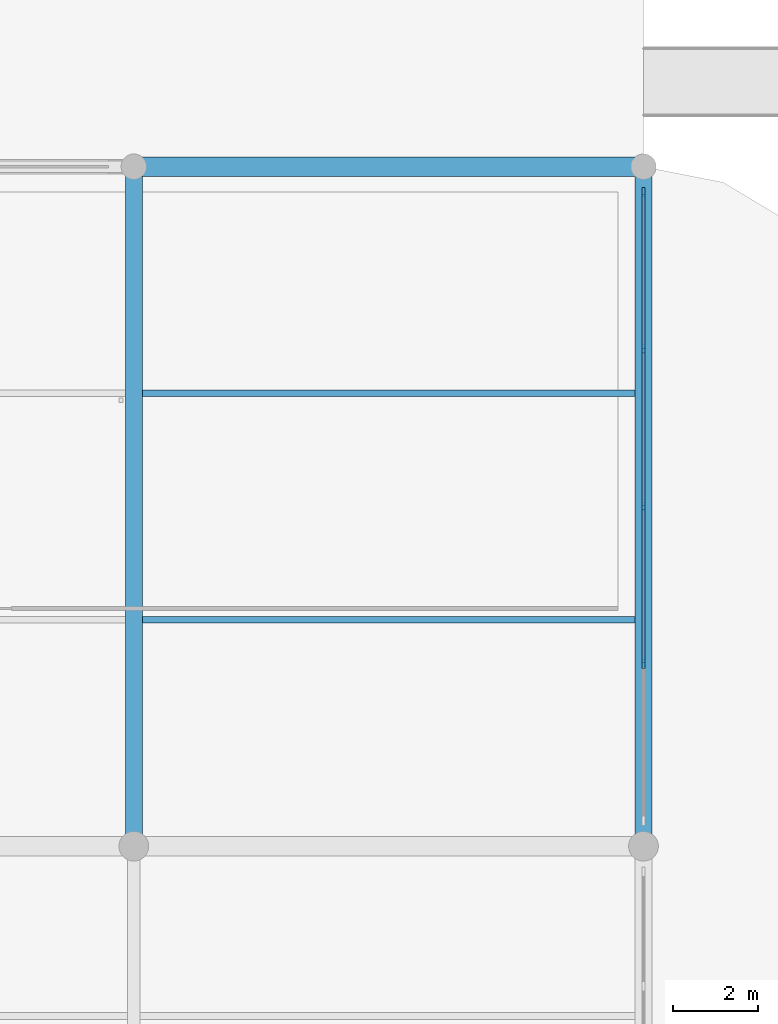
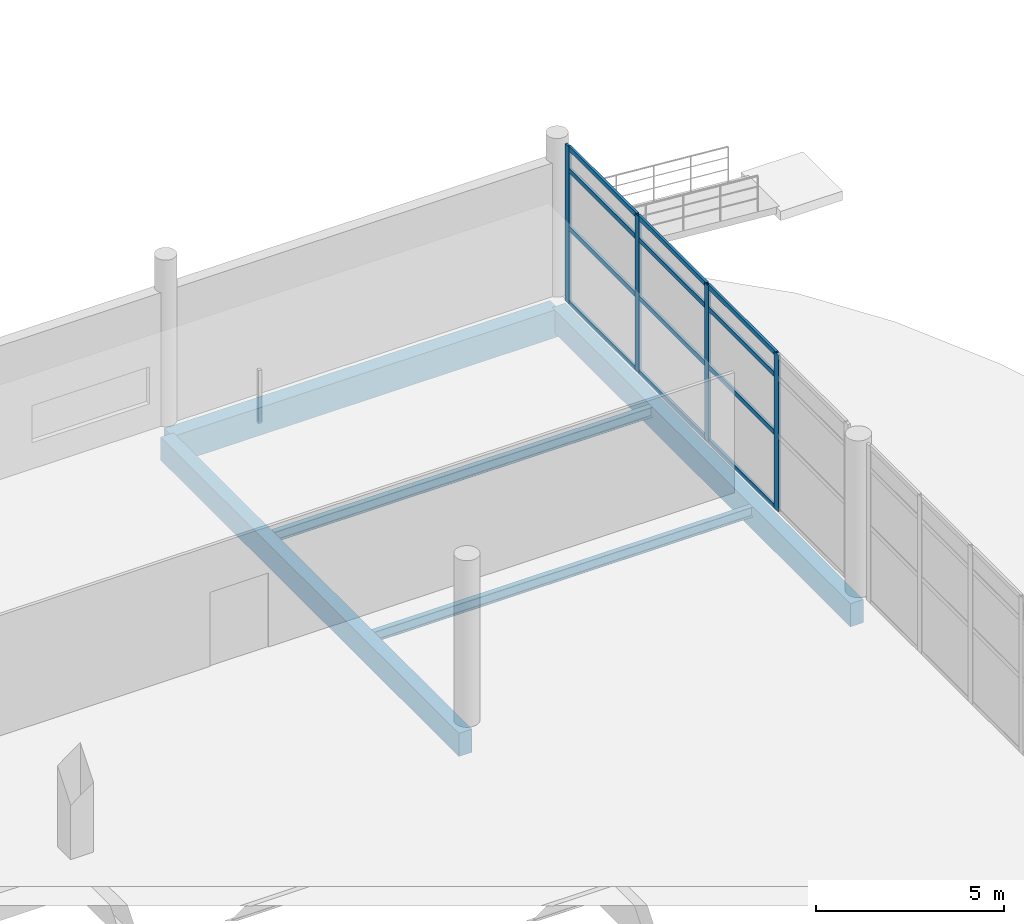
# One storey, part 41 of 85: 16 members, 5 beams, 1 element without a shape of its own.
"""IFC4 building model written with IfcOpenShell, lengths in metres."""

from ifc_helpers import new_model, si_unit, direction, frame, origin, origin_2d, place, context, subcontext, project, spatial, rectangle, i_section, extrude, material, material_profile, profile_set, type_object, element, aggregate, save


model = new_model("IFC4")

# Units and contexts
model_context = context("Model", 3, precision=1e-05, world=origin(), true_north=direction((0.0, 1.0)))
body_context = subcontext(model_context, "Body", "Model", "MODEL_VIEW")
ifc_project = project(units=[si_unit("LENGTHUNIT", "METRE"), si_unit("AREAUNIT", "SQUARE_METRE"), si_unit("VOLUMEUNIT", "CUBIC_METRE"), si_unit("PLANEANGLEUNIT", "RADIAN"), si_unit("MASSUNIT", "GRAM", prefix="KILO"), si_unit("THERMODYNAMICTEMPERATUREUNIT", "KELVIN"), si_unit("POWERUNIT", "WATT")], contexts=[model_context])

# Site, building, storey
site_placement = place(None, origin())
site = spatial("IfcSite", under=ifc_project, at=site_placement, CompositionType="ELEMENT")
building_placement = place(site_placement, origin())
building = spatial("IfcBuilding", under=site, at=building_placement, Name="Solmara Park Aquatics Centre", CompositionType="ELEMENT")
storey_placement = place(building_placement, origin())
storey = spatial("IfcBuildingStorey", under=building, at=storey_placement, Name="L00", CompositionType="ELEMENT", Elevation=0.0)

# Curtain wall, members
ifc_material_1 = material(Name="Anodised Aluminium Curtain Wall Framing", Category="aluminium")
curtain_wall_type = type_object("IfcCurtainWallType", Name="ARC-CW-SYS02", PredefinedType="USERDEFINED", material=ifc_material_1)
curtain_wall_placement = place(storey_placement, origin())
curtain_wall = element("IfcCurtainWall", 1, at=curtain_wall_placement, inside=storey, type_object=curtain_wall_type, Name="Curtain Wall CW-095", ObjectType="CURTAIN WALL", PredefinedType="USERDEFINED")
ifc_material_2 = material(Name="Anodised Aluminium Alloy 6063-T6", Category="aluminium")
ifc_material_profile_1 = material_profile(ifc_material_2, rectangle(XDim=0.074951171875, YDim=0.219970703125, at=origin_2d()), Name="ALU MULLION 75x220")
ifc_profile_set_1 = profile_set([ifc_material_profile_1], Name="Anodised Aluminium Alloy 6063-T6")
member_type_1 = type_object("IfcMemberType", Name="ARC-CWM-75x220", PredefinedType="MULLION", material=ifc_profile_set_1)
member_1_placement = place(storey_placement, frame((204.0, 64.89990234375, 0.0), z_axis=(0.0, 0.0, 1.0), x_axis=(1.0, 0.0, 0.0)))
member_1 = element("IfcMember", 2, at=member_1_placement, type_object=member_type_1, Name="CW-095 mullion 2", PredefinedType="MULLION", context=body_context, shape_type="SweptSolid", body=[
    extrude(rectangle(XDim=0.074951171875, YDim=0.219970703125, at=origin_2d()), origin(), (0.0, 0.0, 1.0), 5.080078125),
])
member_2_placement = place(storey_placement, frame((204.0, 68.60009765625, 0.0), z_axis=(0.0, 0.0, 1.0), x_axis=(1.0, 0.0, 0.0)))
member_2 = element("IfcMember", 3, at=member_2_placement, type_object=member_type_1, Name="CW-095 mullion 3", PredefinedType="MULLION", context=body_context, shape_type="SweptSolid", body=[
    extrude(rectangle(XDim=0.074951171875, YDim=0.219970703125, at=origin_2d()), origin(), (0.0, 0.0, 1.0), 5.080078125),
])
member_3_placement = place(storey_placement, frame((204.0, 72.300048828125, 0.0), z_axis=(0.0, 0.0, 1.0), x_axis=(1.0, 0.0, 0.0)))
member_3 = element("IfcMember", 4, at=member_3_placement, type_object=member_type_1, Name="CW-095 mullion 4", PredefinedType="MULLION", context=body_context, shape_type="SweptSolid", body=[
    extrude(rectangle(XDim=0.074951171875, YDim=0.219970703125, at=origin_2d()), origin(), (0.0, 0.0, 1.0), 5.080078125),
])
member_4_placement = place(storey_placement, frame((204.0, 76.0, 0.0), z_axis=(0.0, 0.0, 1.0), x_axis=(1.0, 0.0, 0.0)))
member_4 = element("IfcMember", 5, at=member_4_placement, type_object=member_type_1, Name="CW-095 mullion 5", PredefinedType="MULLION", context=body_context, shape_type="SweptSolid", body=[
    extrude(rectangle(XDim=0.074951171875, YDim=0.219970703125, at=origin_2d()), origin(), (0.0, 0.0, 1.0), 5.080078125),
])
ifc_material_profile_2 = material_profile(ifc_material_2, rectangle(XDim=0.074951171875, YDim=0.14990234375, at=origin_2d()), Name="ALU TRANSOM 75x150")
ifc_profile_set_2 = profile_set([ifc_material_profile_2], Name="Anodised Aluminium Alloy 6063-T6")
member_type_2 = type_object("IfcMemberType", Name="ARC-CWT-75x150", PredefinedType="USERDEFINED", material=ifc_profile_set_2)
member_5_placement = place(storey_placement, frame((204.0, 64.919921875, 0.0400390625), z_axis=(0.0, 1.0, 0.0), x_axis=(-1.0, 0.0, 0.0)))
member_5 = element("IfcMember", 6, at=member_5_placement, type_object=member_type_2, Name="CW-095 transom 5", ObjectType="TRANSOM", PredefinedType="USERDEFINED", context=body_context, shape_type="SweptSolid", body=[
    extrude(rectangle(XDim=0.074951171875, YDim=0.14990234375, at=origin_2d()), origin(), (0.0, 0.0, 1.0), 3.6201171875),
])
member_6_placement = place(storey_placement, frame((204.0, 64.919921875, 2.449951171875), z_axis=(0.0, 1.0, 0.0), x_axis=(-1.0, 0.0, 0.0)))
member_6 = element("IfcMember", 7, at=member_6_placement, type_object=member_type_2, Name="CW-095 transom 6", ObjectType="TRANSOM", PredefinedType="USERDEFINED", context=body_context, shape_type="SweptSolid", body=[
    extrude(rectangle(XDim=0.074951171875, YDim=0.14990234375, at=origin_2d()), origin(), (0.0, 0.0, 1.0), 3.6201171875),
])
member_7_placement = place(storey_placement, frame((204.0, 64.919921875, 4.330078125), z_axis=(0.0, 1.0, 0.0), x_axis=(-1.0, 0.0, 0.0)))
member_7 = element("IfcMember", 8, at=member_7_placement, type_object=member_type_2, Name="CW-095 transom 7", ObjectType="TRANSOM", PredefinedType="USERDEFINED", context=body_context, shape_type="SweptSolid", body=[
    extrude(rectangle(XDim=0.074951171875, YDim=0.14990234375, at=origin_2d()), origin(), (0.0, 0.0, 1.0), 3.6201171875),
])
member_8_placement = place(storey_placement, frame((204.0, 64.919921875, 5.0400390625), z_axis=(0.0, 1.0, 0.0), x_axis=(-1.0, 0.0, 0.0)))
member_8 = element("IfcMember", 9, at=member_8_placement, type_object=member_type_2, Name="CW-095 transom 8", ObjectType="TRANSOM", PredefinedType="USERDEFINED", context=body_context, shape_type="SweptSolid", body=[
    extrude(rectangle(XDim=0.074951171875, YDim=0.14990234375, at=origin_2d()), origin(), (0.0, 0.0, 1.0), 3.6201171875),
])
member_9_placement = place(storey_placement, frame((204.0, 68.6201171875, 0.0400390625), z_axis=(0.0, 1.0, 0.0), x_axis=(-1.0, 0.0, 0.0)))
member_9 = element("IfcMember", 10, at=member_9_placement, type_object=member_type_2, Name="CW-095 transom 9", ObjectType="TRANSOM", PredefinedType="USERDEFINED", context=body_context, shape_type="SweptSolid", body=[
    extrude(rectangle(XDim=0.074951171875, YDim=0.14990234375, at=origin_2d()), origin(), (0.0, 0.0, 1.0), 3.619873046875),
])
member_10_placement = place(storey_placement, frame((204.0, 68.6201171875, 2.449951171875), z_axis=(0.0, 1.0, 0.0), x_axis=(-1.0, 0.0, 0.0)))
member_10 = element("IfcMember", 11, at=member_10_placement, type_object=member_type_2, Name="CW-095 transom 10", ObjectType="TRANSOM", PredefinedType="USERDEFINED", context=body_context, shape_type="SweptSolid", body=[
    extrude(rectangle(XDim=0.074951171875, YDim=0.14990234375, at=origin_2d()), origin(), (0.0, 0.0, 1.0), 3.619873046875),
])
member_11_placement = place(storey_placement, frame((204.0, 68.6201171875, 4.330078125), z_axis=(0.0, 1.0, 0.0), x_axis=(-1.0, 0.0, 0.0)))
member_11 = element("IfcMember", 12, at=member_11_placement, type_object=member_type_2, Name="CW-095 transom 11", ObjectType="TRANSOM", PredefinedType="USERDEFINED", context=body_context, shape_type="SweptSolid", body=[
    extrude(rectangle(XDim=0.074951171875, YDim=0.14990234375, at=origin_2d()), origin(), (0.0, 0.0, 1.0), 3.619873046875),
])
member_12_placement = place(storey_placement, frame((204.0, 68.6201171875, 5.0400390625), z_axis=(0.0, 1.0, 0.0), x_axis=(-1.0, 0.0, 0.0)))
member_12 = element("IfcMember", 13, at=member_12_placement, type_object=member_type_2, Name="CW-095 transom 12", ObjectType="TRANSOM", PredefinedType="USERDEFINED", context=body_context, shape_type="SweptSolid", body=[
    extrude(rectangle(XDim=0.074951171875, YDim=0.14990234375, at=origin_2d()), origin(), (0.0, 0.0, 1.0), 3.619873046875),
])
member_13_placement = place(storey_placement, frame((204.0, 72.320068359375, 0.0400390625), z_axis=(0.0, 1.0, 0.0), x_axis=(-1.0, 0.0, 0.0)))
member_13 = element("IfcMember", 14, at=member_13_placement, type_object=member_type_2, Name="CW-095 transom 13", ObjectType="TRANSOM", PredefinedType="USERDEFINED", context=body_context, shape_type="SweptSolid", body=[
    extrude(rectangle(XDim=0.074951171875, YDim=0.14990234375, at=origin_2d()), origin(), (0.0, 0.0, 1.0), 3.619873046875),
])
member_14_placement = place(storey_placement, frame((204.0, 72.320068359375, 2.449951171875), z_axis=(0.0, 1.0, 0.0), x_axis=(-1.0, 0.0, 0.0)))
member_14 = element("IfcMember", 15, at=member_14_placement, type_object=member_type_2, Name="CW-095 transom 14", ObjectType="TRANSOM", PredefinedType="USERDEFINED", context=body_context, shape_type="SweptSolid", body=[
    extrude(rectangle(XDim=0.074951171875, YDim=0.14990234375, at=origin_2d()), origin(), (0.0, 0.0, 1.0), 3.619873046875),
])
member_15_placement = place(storey_placement, frame((204.0, 72.320068359375, 4.330078125), z_axis=(0.0, 1.0, 0.0), x_axis=(-1.0, 0.0, 0.0)))
member_15 = element("IfcMember", 16, at=member_15_placement, type_object=member_type_2, Name="CW-095 transom 15", ObjectType="TRANSOM", PredefinedType="USERDEFINED", context=body_context, shape_type="SweptSolid", body=[
    extrude(rectangle(XDim=0.074951171875, YDim=0.14990234375, at=origin_2d()), origin(), (0.0, 0.0, 1.0), 3.619873046875),
])
member_16_placement = place(storey_placement, frame((204.0, 72.320068359375, 5.0400390625), z_axis=(0.0, 1.0, 0.0), x_axis=(-1.0, 0.0, 0.0)))
member_16 = element("IfcMember", 17, at=member_16_placement, type_object=member_type_2, Name="CW-095 transom 16", ObjectType="TRANSOM", PredefinedType="USERDEFINED", context=body_context, shape_type="SweptSolid", body=[
    extrude(rectangle(XDim=0.074951171875, YDim=0.14990234375, at=origin_2d()), origin(), (0.0, 0.0, 1.0), 3.619873046875),
])
aggregate(curtain_wall, [member_1, member_2, member_3, member_4, member_5, member_6, member_7, member_8, member_9, member_10, member_11, member_12, member_13, member_14, member_15, member_16])

# Beams
ifc_material_3 = material(Name="Concrete C40/50", Category="concrete")
ifc_material_profile_3 = material_profile(ifc_material_3, rectangle(XDim=0.39990234375, YDim=0.75, at=origin_2d()), Name="RC 400x750")
ifc_profile_set_3 = profile_set([ifc_material_profile_3], Name="Concrete C40/50")
beam_type_1 = type_object("IfcBeamType", Name="STR-BM-RC400x750", PredefinedType="BEAM", material=ifc_profile_set_3)
for number, where, z_axis, x_axis, name in (
    (18, (192.0, 60.679931640625, -0.794921875), (0.0, 1.0, 0.0), (-1.0, 0.0, 0.0), "Girder BM-L00-0092"),
    (19, (204.0, 60.679931640625, -0.794921875), (0.0, 1.0, 0.0), (-1.0, 0.0, 0.0), "Girder BM-L00-0097"),
):
    element("IfcBeam", number, at=place(storey_placement, frame(where, z_axis=z_axis, x_axis=x_axis)), inside=storey, type_object=beam_type_1, Name=name, PredefinedType="BEAM", context=body_context, shape_type="SweptSolid", body=[
        extrude(rectangle(XDim=0.39990234375, YDim=0.75, at=origin_2d()), origin(), (0.0, 0.0, 1.0), 15.840087890625),
    ])
ifc_material_profile_4 = material_profile(ifc_material_3, rectangle(XDim=0.449951171875, YDim=0.89990234375, at=origin_2d()), Name="RC 450x900")
ifc_profile_set_4 = profile_set([ifc_material_profile_4], Name="Concrete C40/50")
beam_type_2 = type_object("IfcBeamType", Name="STR-BM-RC450x900", PredefinedType="BEAM", material=ifc_profile_set_4)
beam_placement = place(storey_placement, frame((192.080078125, 76.60009765625, -0.8701171875), z_axis=(1.0, 0.0, 0.0), x_axis=(0.0, 1.0, 0.0)))
element("IfcBeam", 20, at=beam_placement, inside=storey, type_object=beam_type_2, Name="Girder BM-L00-0073", PredefinedType="BEAM", context=body_context, shape_type="SweptSolid", body=[
    extrude(rectangle(XDim=0.449951171875, YDim=0.89990234375, at=origin_2d()), origin(), (0.0, 0.0, 1.0), 11.83984375),
])
ifc_material_4 = material(Name="Structural Steel S355", Category="steel")
ifc_material_profile_5 = material_profile(ifc_material_4, i_section(OverallWidth=0.159912109375, OverallDepth=0.330078125, WebThickness=0.007568359375, FlangeThickness=0.011474609375, FilletRadius=0.01806640625, at=origin_2d()), Name="IPE 330")
ifc_profile_set_5 = profile_set([ifc_material_profile_5], Name="Structural Steel S355")
beam_type_3 = type_object("IfcBeamType", Name="STR-JST-IPE330", PredefinedType="JOIST", material=ifc_profile_set_5)
for number, where, z_axis, x_axis, name in (
    (21, (192.199951171875, 65.933349609375, -0.5849609375), (1.0, 0.0, 0.0), (0.0, 1.0, 0.0), "Floor Joist JST-L00-0056"),
    (22, (192.199951171875, 71.2666015625, -0.5849609375), (1.0, 0.0, 0.0), (0.0, 1.0, 0.0), "Floor Joist JST-L00-0057"),
):
    element("IfcBeam", number, at=place(storey_placement, frame(where, z_axis=z_axis, x_axis=x_axis)), inside=storey, type_object=beam_type_3, Name=name, PredefinedType="JOIST", context=body_context, shape_type="SweptSolid", body=[
        extrude(i_section(OverallWidth=0.159912109375, OverallDepth=0.330078125, WebThickness=0.007568359375, FlangeThickness=0.011474609375, FilletRadius=0.01806640625, at=origin_2d()), origin(), (0.0, 0.0, 1.0), 11.60009765625),
    ])

save(model, "model.ifc")
